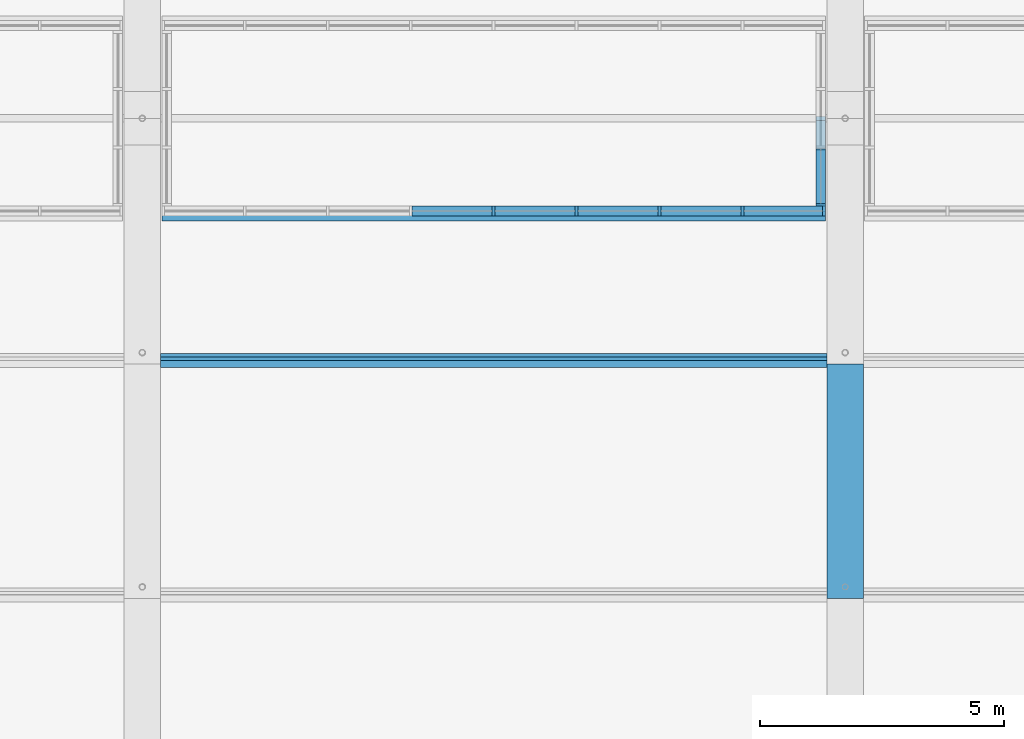
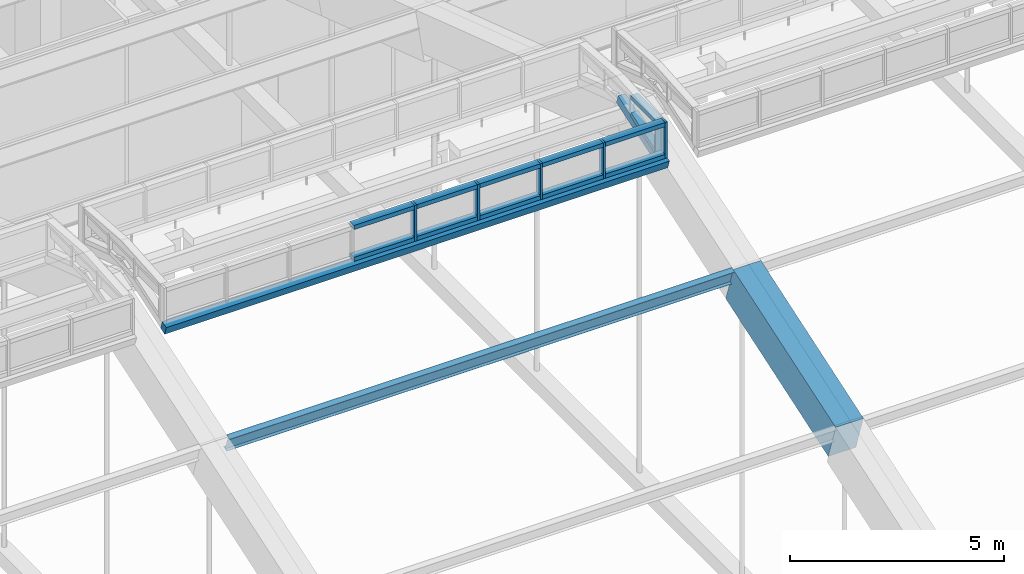
# One storey, part 50 of 149: 21 members, 1 beam, 2 elements without a shape of their own.
"""IFC4 building model written with IfcOpenShell, lengths in metres."""

import ifcopenshell
import ifcopenshell.guid

model = None  # the IFC model being written
_history = None  # IfcOwnerHistory: only IFC2X3 demands one
_inside = {}  # id of a spatial element -> (the spatial element, [elements in it])
_under = {}  # id of a project, library or spatial element -> (it, [spatial elements below it])
_declared = {}  # id of a project -> (the project, [libraries it declares])
_typed = {}  # id of a type object -> (the type object, [elements of that type])
_made_of = {}  # id of a material, layer set ... -> (it, [elements and type objects made of it])


def new_model(schema):
    """Start an empty IFC model of exactly this schema.

    Asked for "IFC4X3", IfcOpenShell would pick the latest addendum, in which some entities
    have other attributes; the version numbers below select the first issue.
    IFC2X3 requires an IfcOwnerHistory on every rooted entity: one is made here for all.
    """
    global model, _history
    if schema == "IFC4X3":
        model = ifcopenshell.file(schema_version=(4, 3, 0, 0))
    else:
        model = ifcopenshell.file(schema=schema)
    _inside.clear()
    _under.clear()
    _declared.clear()
    _typed.clear()
    _made_of.clear()
    _history = None
    if model.schema == "IFC2X3":
        org = make("IfcOrganization", Name="unknown")
        user = make(
            "IfcPersonAndOrganization",
            ThePerson=make("IfcPerson", FamilyName="unknown"),
            TheOrganization=org,
        )
        app = make(
            "IfcApplication",
            ApplicationDeveloper=org,
            Version="unknown",
            ApplicationFullName="unknown",
            ApplicationIdentifier="unknown",
        )
        _history = make(
            "IfcOwnerHistory",
            OwningUser=user,
            OwningApplication=app,
            ChangeAction="ADDED",
            CreationDate=0,
        )
    return model


def make(cls, **values):
    """One entity of the class cls with the attributes given. An attribute that is None is left unset."""
    return model.create_entity(
        cls, **{name: value for name, value in values.items() if value is not None}
    )


def rooted(cls, **values):
    """An entity with a GlobalId (a new one), such as an element, a storey or a relation."""
    return make(cls, GlobalId=ifcopenshell.guid.new(), OwnerHistory=_history, **values)


def si_unit(unit_type, name, prefix=None):
    """IfcSIUnit, for example si_unit("LENGTHUNIT", "METRE", prefix="MILLI")."""
    return make("IfcSIUnit", UnitType=unit_type, Prefix=prefix, Name=name)


def assignment(units):
    """IfcUnitAssignment: the units of a project."""
    return None if units is None else make("IfcUnitAssignment", Units=units)


def point(xyz):
    """IfcCartesianPoint."""
    return None if xyz is None else make("IfcCartesianPoint", Coordinates=xyz)


def direction(xyz):
    """IfcDirection."""
    return None if xyz is None else make("IfcDirection", DirectionRatios=xyz)


def frame(location, z_axis=None, x_axis=None):
    """IfcAxis2Placement3D, a coordinate frame: its origin and axes. An axis left out is left unset."""
    return make(
        "IfcAxis2Placement3D",
        Location=point(location),
        Axis=direction(z_axis),
        RefDirection=direction(x_axis),
    )


def frame_2d(location, x_axis=None):
    """IfcAxis2Placement2D, a coordinate frame in the plane: its origin and x axis."""
    return make(
        "IfcAxis2Placement2D", Location=point(location), RefDirection=direction(x_axis)
    )


def origin():
    """The frame at (0, 0, 0) with its axes left unset."""
    return frame((0.0, 0.0, 0.0))


def origin_2d():
    """The frame at (0, 0) in the plane with its x axis left unset."""
    return frame_2d((0.0, 0.0))


def place(relative_to, where):
    """IfcLocalPlacement: puts the frame where relative to a parent placement (None: the world)."""
    return make(
        "IfcLocalPlacement", PlacementRelTo=relative_to, RelativePlacement=where
    )


def context(
    kind, dimensions, precision=None, world=None, true_north=None, identifier=None
):
    """IfcGeometricRepresentationContext, for example the 3D "Model" context."""
    return make(
        "IfcGeometricRepresentationContext",
        ContextIdentifier=identifier,
        ContextType=kind,
        CoordinateSpaceDimension=dimensions,
        Precision=precision,
        WorldCoordinateSystem=world,
        TrueNorth=true_north,
    )


def subcontext(parent, identifier, kind, view, scale=None):
    """IfcGeometricRepresentationSubContext, for example "Body" below "Model"."""
    return make(
        "IfcGeometricRepresentationSubContext",
        ContextIdentifier=identifier,
        ContextType=kind,
        ParentContext=parent,
        TargetScale=scale,
        TargetView=view,
    )


def project(units=None, contexts=None):
    """IfcProject with its units and contexts."""
    return rooted(
        "IfcProject",
        Name="project",
        RepresentationContexts=contexts,
        UnitsInContext=assignment(units),
    )


def spatial(cls, under=None, at=None, **own):
    """A site, building, storey or space (cls), placed at a placement, below another one or the project."""
    s = rooted(cls, ObjectPlacement=at, **own)
    if under is not None:
        _under.setdefault(under.id(), (under, []))[1].append(s)
    return s


def profile(cls, at=None, kind="AREA", **sizes):
    """A parametric profile (cls). Its sizes go by their IFC names, for example OverallWidth=200.0."""
    return make(cls, ProfileType=kind, Position=at, **sizes)


def rectangle(**sizes):
    """IfcRectangleProfileDef."""
    return profile("IfcRectangleProfileDef", **sizes)


def i_section(**sizes):
    """IfcIShapeProfileDef."""
    return profile("IfcIShapeProfileDef", **sizes)


def extrude(swept, where, along, depth):
    """IfcExtrudedAreaSolid: the profile swept, set in the frame where, extruded along a direction by depth."""
    return make(
        "IfcExtrudedAreaSolid",
        SweptArea=swept,
        Position=where,
        ExtrudedDirection=direction(along),
        Depth=depth,
    )


def shape(context_of_items, identifier, shape_type, items):
    """IfcShapeRepresentation: the items that make up one representation, for example the "Body"."""
    return make(
        "IfcShapeRepresentation",
        ContextOfItems=context_of_items,
        RepresentationIdentifier=identifier,
        RepresentationType=shape_type,
        Items=items,
    )


def material(Name=None, Category=None):
    """IfcMaterial."""
    return make("IfcMaterial", Name=Name, Category=Category)


def material_profile(
    of_material, cross_section, Name=None, Category=None, Priority=None
):
    """IfcMaterialProfile: a cross section and its material."""
    return make(
        "IfcMaterialProfile",
        Name=Name,
        Material=of_material,
        Profile=cross_section,
        Priority=Priority,
        Category=Category,
    )


def profile_set(profiles, Name=None, composite=None):
    """IfcMaterialProfileSet."""
    return make(
        "IfcMaterialProfileSet",
        Name=Name,
        MaterialProfiles=profiles,
        CompositeProfile=composite,
    )


def made_of(thing, what):
    """Note that an element or type object is made of a material, layer set ...; save() writes the relation."""
    if what is not None:
        _made_of.setdefault(what.id(), (what, []))[1].append(thing)
    return thing


def type_object(cls, material=None, **own):
    """A type object (cls), such as IfcWallType, which elements share."""
    return made_of(rooted(cls, **own), material)


def element(
    cls,
    number,
    at=None,
    inside=None,
    cuts=None,
    type_object=None,
    material=None,
    context=None,
    identifier="Body",
    shape_type=None,
    held_by="IfcProductDefinitionShape",
    body=None,
    shapes=None,
    **own,
):
    """One element of the class cls, such as IfcWall. Its Tag is "e" and its number.

    at: its placement. inside: the storey or other place that contains it. cuts: it is an
    opening in that element (IfcRelVoidsElement). A single representation is given by context,
    identifier, shape_type and body (its items); several are given by shapes. held_by: the class
    of the entity that holds the representations. save() writes the other relations.
    """
    e = rooted(cls, Tag="e%d" % number, ObjectPlacement=at, **own)
    if body is not None:
        shapes = [shape(context, identifier, shape_type, body)]
    if shapes is not None:
        e.Representation = make(held_by, Representations=shapes)
    if inside is not None:
        _inside.setdefault(inside.id(), (inside, []))[1].append(e)
    if cuts is not None:
        rooted(
            "IfcRelVoidsElement", RelatingBuildingElement=cuts, RelatedOpeningElement=e
        )
    if type_object is not None:
        _typed.setdefault(type_object.id(), (type_object, []))[1].append(e)
    return made_of(e, material)


def aggregate(whole, parts):
    """IfcRelAggregates: a whole, such as a stair, and the parts it consists of."""
    return rooted("IfcRelAggregates", RelatingObject=whole, RelatedObjects=parts)


def save(model, path):
    """Write the relations noted so far, then the file.

    IfcRelAggregates (storeys below a building ...), IfcRelContainedInSpatialStructure (elements
    in a storey), IfcRelDefinesByType, IfcRelAssociatesMaterial and IfcRelDeclares: one each for
    every whole, place, type object, material and project.
    """
    for whole, parts in _under.values():
        aggregate(whole, parts)
    for where, things in _inside.values():
        rooted(
            "IfcRelContainedInSpatialStructure",
            RelatedElements=things,
            RelatingStructure=where,
        )
    for kind, things in _typed.values():
        rooted("IfcRelDefinesByType", RelatedObjects=things, RelatingType=kind)
    for what, things in _made_of.values():
        rooted("IfcRelAssociatesMaterial", RelatedObjects=things, RelatingMaterial=what)
    for by, libraries in _declared.values():
        rooted("IfcRelDeclares", RelatingContext=by, RelatedDefinitions=libraries)
    model.write(path)


model = new_model("IFC4")

# Units and contexts
model_context = context("Model", 3, precision=1e-05, world=origin(), true_north=direction((0.0, 1.0)))
body_context = subcontext(model_context, "Body", "Model", "MODEL_VIEW")
ifc_project = project(units=[si_unit("LENGTHUNIT", "METRE"), si_unit("AREAUNIT", "SQUARE_METRE"), si_unit("VOLUMEUNIT", "CUBIC_METRE"), si_unit("PLANEANGLEUNIT", "RADIAN"), si_unit("MASSUNIT", "GRAM", prefix="KILO")], contexts=[model_context])

# Site, building, storey
site_placement = place(None, origin())
site = spatial("IfcSite", under=ifc_project, at=site_placement, CompositionType="ELEMENT")
building_placement = place(site_placement, origin())
building = spatial("IfcBuilding", under=site, at=building_placement, Name="Alderwick Market Hall", CompositionType="ELEMENT")
storey_placement = place(building_placement, frame((0.0, 0.0, 9.60009765625)))
storey = spatial("IfcBuildingStorey", under=building, at=storey_placement, Name="L01", CompositionType="ELEMENT", Elevation=9.60009765625)

# Beam
ifc_material_1 = material(Name="Concrete 5000 psi (f'c 35 MPa)", Category="concrete")
ifc_material_profile_1 = material_profile(ifc_material_1, rectangle(XDim=0.75, YDim=1.10009765625, at=origin_2d()), Name="RC 750x1100")
ifc_profile_set_1 = profile_set([ifc_material_profile_1], Name="Concrete 5000 psi (f'c 35 MPa)")
beam_type = type_object("IfcBeamType", Name="R Arch Rib Crown 750x1100", PredefinedType="BEAM", material=ifc_profile_set_1)
beam_placement = place(storey_placement, frame((93.60009765625, 69.536865234375, 13.189697265625), z_axis=(0.0, 0.948688123414, 0.316213289559), x_axis=(-1.0, 0.0, 0.0)))
element("IfcBeam", 1, at=beam_placement, inside=storey, type_object=beam_type, Name="Arch rib 4 chord 5", PredefinedType="BEAM", context=body_context, shape_type="SweptSolid", body=[
    extrude(rectangle(XDim=0.75, YDim=1.10009765625, at=origin_2d()), origin(), (0.0, 0.0, 1.0), 5.059326171875),
])

# Curtain wall, members
ifc_material_2 = material(Name="Aluminium", Category="aluminium")
curtain_wall_type = type_object("IfcCurtainWallType", Name="R Curtain Wall Frame", PredefinedType="NOTDEFINED", material=ifc_material_2)
curtain_wall_1_placement = place(storey_placement, origin())
curtain_wall_1 = element("IfcCurtainWall", 2, at=curtain_wall_1_placement, inside=storey, type_object=curtain_wall_type, Name="Curtain wall LCW S3", PredefinedType="NOTDEFINED")
ifc_material_profile_2 = material_profile(ifc_material_2, rectangle(XDim=0.199951171875, YDim=0.06005859375, at=origin_2d()), Name="AL 60x200")
ifc_profile_set_2 = profile_set([ifc_material_profile_2], Name="Aluminium")
member_type_1 = type_object("IfcMemberType", Name="R CW Mullion 60x200", PredefinedType="MULLION", material=ifc_profile_set_2)
member_1_placement = place(storey_placement, frame((86.39990234375, 77.300048828125, 16.670166015625), z_axis=(0.0, 0.0, 1.0), x_axis=(0.0, 1.0, 0.0)))
member_1 = element("IfcMember", 3, at=member_1_placement, type_object=member_type_1, Name="LCW S3 mullion 5", PredefinedType="MULLION", context=body_context, shape_type="SweptSolid", body=[
    extrude(rectangle(XDim=0.199951171875, YDim=0.06005859375, at=origin_2d()), origin(), (0.0, 0.0, 1.0), 1.02978515625),
])
member_2_placement = place(storey_placement, frame((88.10009765625, 77.300048828125, 16.670166015625), z_axis=(0.0, 0.0, 1.0), x_axis=(0.0, 1.0, 0.0)))
member_2 = element("IfcMember", 4, at=member_2_placement, type_object=member_type_1, Name="LCW S3 mullion 6", PredefinedType="MULLION", context=body_context, shape_type="SweptSolid", body=[
    extrude(rectangle(XDim=0.199951171875, YDim=0.06005859375, at=origin_2d()), origin(), (0.0, 0.0, 1.0), 1.02978515625),
])
member_3_placement = place(storey_placement, frame((89.800048828125, 77.300048828125, 16.670166015625), z_axis=(0.0, 0.0, 1.0), x_axis=(0.0, 1.0, 0.0)))
member_3 = element("IfcMember", 5, at=member_3_placement, type_object=member_type_1, Name="LCW S3 mullion 7", PredefinedType="MULLION", context=body_context, shape_type="SweptSolid", body=[
    extrude(rectangle(XDim=0.199951171875, YDim=0.06005859375, at=origin_2d()), origin(), (0.0, 0.0, 1.0), 1.02978515625),
])
member_4_placement = place(storey_placement, frame((91.5, 77.300048828125, 16.670166015625), z_axis=(0.0, 0.0, 1.0), x_axis=(0.0, 1.0, 0.0)))
member_4 = element("IfcMember", 6, at=member_4_placement, type_object=member_type_1, Name="LCW S3 mullion 8", PredefinedType="MULLION", context=body_context, shape_type="SweptSolid", body=[
    extrude(rectangle(XDim=0.199951171875, YDim=0.06005859375, at=origin_2d()), origin(), (0.0, 0.0, 1.0), 1.02978515625),
])
member_5_placement = place(storey_placement, frame((93.169921875, 77.300048828125, 16.670166015625), z_axis=(0.0, 0.0, 1.0), x_axis=(0.0, 1.0, 0.0)))
member_5 = element("IfcMember", 7, at=member_5_placement, type_object=member_type_1, Name="LCW S3 mullion 9", PredefinedType="MULLION", context=body_context, shape_type="SweptSolid", body=[
    extrude(rectangle(XDim=0.199951171875, YDim=0.06005859375, at=origin_2d()), origin(), (0.0, 0.0, 1.0), 1.02978515625),
])

# Curtain wall, member
curtain_wall_2_placement = place(storey_placement, origin())
curtain_wall_2 = element("IfcCurtainWall", 8, at=curtain_wall_2_placement, inside=storey, type_object=curtain_wall_type, Name="Curtain wall LCW E3", PredefinedType="NOTDEFINED")
member_6_placement = place(storey_placement, frame((93.10009765625, 77.429931640625, 16.713623046875), z_axis=(0.0, 0.0, 1.0), x_axis=(1.0, 0.0, 0.0)))
member_6 = element("IfcMember", 9, at=member_6_placement, type_object=member_type_1, Name="LCW E3 mullion 1", PredefinedType="MULLION", context=body_context, shape_type="SweptSolid", body=[
    extrude(rectangle(XDim=0.199951171875, YDim=0.06005859375, at=origin_2d()), origin(), (0.0, 0.0, 1.0), 0.986328125),
])

# Member
ifc_material_profile_3 = material_profile(ifc_material_2, rectangle(XDim=0.199951171875, YDim=0.1201171875, at=origin_2d()), Name="AL 120x200")
ifc_profile_set_3 = profile_set([ifc_material_profile_3], Name="Aluminium")
member_type_2 = type_object("IfcMemberType", Name="R CW Transom 120x200", PredefinedType="USERDEFINED", material=ifc_profile_set_3)
member_7_placement = place(storey_placement, frame((84.72998046875, 77.300048828125, 16.730224609375), z_axis=(1.0, 0.0, 0.0), x_axis=(0.0, 1.0, 0.0)))
member_7 = element("IfcMember", 10, at=member_7_placement, type_object=member_type_2, Name="LCW S3 sill transom 4", ObjectType="TRANSOM", PredefinedType="USERDEFINED", context=body_context, shape_type="SweptSolid", body=[
    extrude(rectangle(XDim=0.199951171875, YDim=0.1201171875, at=origin_2d()), origin(), (0.0, 0.0, 1.0), 1.64013671875),
])

member_8_placement = place(storey_placement, frame((84.72998046875, 77.300048828125, 17.639892578125), z_axis=(1.0, 0.0, 0.0), x_axis=(0.0, 1.0, 0.0)))
member_8 = element("IfcMember", 11, at=member_8_placement, type_object=member_type_2, Name="LCW S3 head transom 4", ObjectType="TRANSOM", PredefinedType="USERDEFINED", context=body_context, shape_type="SweptSolid", body=[
    extrude(rectangle(XDim=0.199951171875, YDim=0.1201171875, at=origin_2d()), origin(), (0.0, 0.0, 1.0), 1.64013671875),
])

member_9_placement = place(storey_placement, frame((86.429931640625, 77.300048828125, 16.730224609375), z_axis=(1.0, 0.0, 0.0), x_axis=(0.0, 1.0, 0.0)))
member_9 = element("IfcMember", 12, at=member_9_placement, type_object=member_type_2, Name="LCW S3 sill transom 5", ObjectType="TRANSOM", PredefinedType="USERDEFINED", context=body_context, shape_type="SweptSolid", body=[
    extrude(rectangle(XDim=0.199951171875, YDim=0.1201171875, at=origin_2d()), origin(), (0.0, 0.0, 1.0), 1.64013671875),
])

member_10_placement = place(storey_placement, frame((86.429931640625, 77.300048828125, 17.639892578125), z_axis=(1.0, 0.0, 0.0), x_axis=(0.0, 1.0, 0.0)))
member_10 = element("IfcMember", 13, at=member_10_placement, type_object=member_type_2, Name="LCW S3 head transom 5", ObjectType="TRANSOM", PredefinedType="USERDEFINED", context=body_context, shape_type="SweptSolid", body=[
    extrude(rectangle(XDim=0.199951171875, YDim=0.1201171875, at=origin_2d()), origin(), (0.0, 0.0, 1.0), 1.64013671875),
])

member_11_placement = place(storey_placement, frame((88.1298828125, 77.300048828125, 16.730224609375), z_axis=(1.0, 0.0, 0.0), x_axis=(0.0, 1.0, 0.0)))
member_11 = element("IfcMember", 14, at=member_11_placement, type_object=member_type_2, Name="LCW S3 sill transom 6", ObjectType="TRANSOM", PredefinedType="USERDEFINED", context=body_context, shape_type="SweptSolid", body=[
    extrude(rectangle(XDim=0.199951171875, YDim=0.1201171875, at=origin_2d()), origin(), (0.0, 0.0, 1.0), 1.64013671875),
])

member_12_placement = place(storey_placement, frame((88.1298828125, 77.300048828125, 17.639892578125), z_axis=(1.0, 0.0, 0.0), x_axis=(0.0, 1.0, 0.0)))
member_12 = element("IfcMember", 15, at=member_12_placement, type_object=member_type_2, Name="LCW S3 head transom 6", ObjectType="TRANSOM", PredefinedType="USERDEFINED", context=body_context, shape_type="SweptSolid", body=[
    extrude(rectangle(XDim=0.199951171875, YDim=0.1201171875, at=origin_2d()), origin(), (0.0, 0.0, 1.0), 1.64013671875),
])

member_13_placement = place(storey_placement, frame((89.830078125, 77.300048828125, 16.730224609375), z_axis=(1.0, 0.0, 0.0), x_axis=(0.0, 1.0, 0.0)))
member_13 = element("IfcMember", 16, at=member_13_placement, type_object=member_type_2, Name="LCW S3 sill transom 7", ObjectType="TRANSOM", PredefinedType="USERDEFINED", context=body_context, shape_type="SweptSolid", body=[
    extrude(rectangle(XDim=0.199951171875, YDim=0.1201171875, at=origin_2d()), origin(), (0.0, 0.0, 1.0), 1.639892578125),
])

member_14_placement = place(storey_placement, frame((89.830078125, 77.300048828125, 17.639892578125), z_axis=(1.0, 0.0, 0.0), x_axis=(0.0, 1.0, 0.0)))
member_14 = element("IfcMember", 17, at=member_14_placement, type_object=member_type_2, Name="LCW S3 head transom 7", ObjectType="TRANSOM", PredefinedType="USERDEFINED", context=body_context, shape_type="SweptSolid", body=[
    extrude(rectangle(XDim=0.199951171875, YDim=0.1201171875, at=origin_2d()), origin(), (0.0, 0.0, 1.0), 1.639892578125),
])

member_15_placement = place(storey_placement, frame((91.530029296875, 77.300048828125, 16.730224609375), z_axis=(1.0, 0.0, 0.0), x_axis=(0.0, 1.0, 0.0)))
member_15 = element("IfcMember", 18, at=member_15_placement, type_object=member_type_2, Name="LCW S3 sill transom 8", ObjectType="TRANSOM", PredefinedType="USERDEFINED", context=body_context, shape_type="SweptSolid", body=[
    extrude(rectangle(XDim=0.199951171875, YDim=0.1201171875, at=origin_2d()), origin(), (0.0, 0.0, 1.0), 1.60986328125),
])

member_16_placement = place(storey_placement, frame((91.530029296875, 77.300048828125, 17.639892578125), z_axis=(1.0, 0.0, 0.0), x_axis=(0.0, 1.0, 0.0)))
member_16 = element("IfcMember", 19, at=member_16_placement, type_object=member_type_2, Name="LCW S3 head transom 8", ObjectType="TRANSOM", PredefinedType="USERDEFINED", context=body_context, shape_type="SweptSolid", body=[
    extrude(rectangle(XDim=0.199951171875, YDim=0.1201171875, at=origin_2d()), origin(), (0.0, 0.0, 1.0), 1.60986328125),
])

member_17_placement = place(storey_placement, frame((93.10009765625, 77.4599609375, 16.783447265625), z_axis=(0.0, 0.948662432506, 0.316290355768), x_axis=(-1.0, 0.0, 0.0)))
member_17 = element("IfcMember", 20, at=member_17_placement, type_object=member_type_2, Name="LCW E3 sill transom 1", ObjectType="TRANSOM", PredefinedType="USERDEFINED", context=body_context, shape_type="SweptSolid", body=[
    extrude(rectangle(XDim=0.199951171875, YDim=0.1201171875, at=origin_2d()), origin(), (0.0, 0.0, 1.0), 1.170166015625),
])

member_18_placement = place(storey_placement, frame((93.10009765625, 77.4599609375, 17.639892578125), z_axis=(0.0, 1.0, 0.0), x_axis=(-1.0, 0.0, 0.0)))
member_18 = element("IfcMember", 21, at=member_18_placement, type_object=member_type_2, Name="LCW E3 head transom 1", ObjectType="TRANSOM", PredefinedType="USERDEFINED", context=body_context, shape_type="SweptSolid", body=[
    extrude(rectangle(XDim=0.199951171875, YDim=0.1201171875, at=origin_2d()), origin(), (0.0, 0.0, 1.0), 1.110107421875),
])

ifc_material_3 = material(Name="Steel ASTM A572 Grade 50", Category="steel")
ifc_material_profile_4 = material_profile(ifc_material_3, rectangle(XDim=0.199951171875, YDim=0.25, at=origin_2d()), Name="Steel plate curb 200x250")
ifc_profile_set_4 = profile_set([ifc_material_profile_4], Name="Steel ASTM A572 Grade 50")
member_type_3 = type_object("IfcMemberType", Name="R Lantern Curb 200x250", PredefinedType="MEMBER", material=ifc_profile_set_4)
member_19_placement = place(storey_placement, frame((79.60009765625, 77.235107421875, 16.551513671875), z_axis=(1.0, 0.0, 0.0), x_axis=(0.0, 0.948683297073, 0.316227768949)))
member_19 = element("IfcMember", 22, at=member_19_placement, type_object=member_type_3, Name="Lantern curb S3", PredefinedType="MEMBER", context=body_context, shape_type="SweptSolid", body=[
    extrude(rectangle(XDim=0.199951171875, YDim=0.25, at=origin_2d()), origin(), (0.0, 0.0, 1.0), 13.599853515625),
])

aggregate(curtain_wall_1, [member_1, member_2, member_3, member_4, member_5, member_7, member_8, member_9, member_10, member_11, member_12, member_13, member_14, member_15, member_16, member_19])

member_20_placement = place(storey_placement, frame((93.10009765625, 77.335205078125, 16.5849609375), z_axis=(0.0, 0.948683298051, 0.316227766017), x_axis=(-1.0, 0.0, 0.0)))
member_20 = element("IfcMember", 23, at=member_20_placement, type_object=member_type_3, Name="Lantern end curb E3.1", PredefinedType="MEMBER", context=body_context, shape_type="SweptSolid", body=[
    extrude(rectangle(XDim=0.199951171875, YDim=0.25, at=origin_2d()), origin(), (0.0, 0.0, 1.0), 1.965576171875),
])

aggregate(curtain_wall_2, [member_6, member_17, member_18, member_20])

ifc_material_4 = material(Name="Steel ASTM A992 Grade 50", Category="steel")
ifc_material_profile_5 = material_profile(ifc_material_4, i_section(OverallWidth=0.153076171875, OverallDepth=0.455078125, WebThickness=0.008056640625, FlangeThickness=0.01318359375, at=origin_2d()), Name="W18x40")
ifc_profile_set_5 = profile_set([ifc_material_profile_5], Name="Steel ASTM A992 Grade 50")
member_type_4 = type_object("IfcMemberType", Name="R Purlin W18x40", PredefinedType="PURLIN", material=ifc_profile_set_5)
member_21_placement = place(storey_placement, frame((79.574951171875, 74.236572265625, 15.08984375), z_axis=(1.0, 0.0, 0.0), x_axis=(0.0, 0.948683297073, 0.316227768949)))
element("IfcMember", 24, at=member_21_placement, inside=storey, type_object=member_type_4, Name="Roof purlin 6.3", PredefinedType="PURLIN", context=body_context, shape_type="SweptSolid", body=[
    extrude(i_section(OverallWidth=0.153076171875, OverallDepth=0.455078125, WebThickness=0.008056640625, FlangeThickness=0.01318359375, at=origin_2d()), origin(), (0.0, 0.0, 1.0), 13.650146484375),
])

save(model, "model.ifc")
